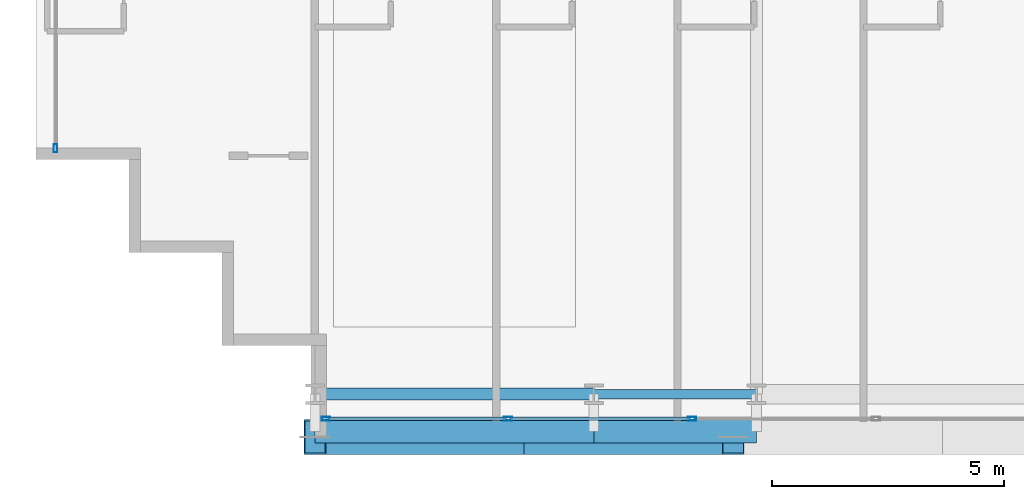
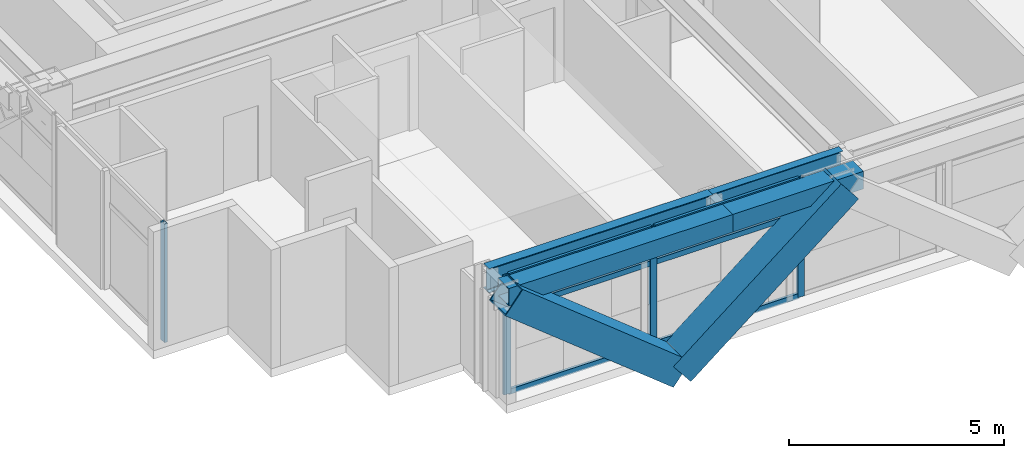
# One storey, part 2 of 36: 12 members, 4 beams, 2 elements without a shape of their own.
"""IFC4 building model written with IfcOpenShell, lengths in metres."""

from ifc_helpers import new_model, si_unit, direction, frame, origin, origin_2d, place, context, subcontext, project, spatial, hollow_rectangle, i_section, extrude, source, transform, mapped, material, layer, layer_set, material_profile, profile_set, type_object, element, aggregate, save


model = new_model("IFC4")

# Units and contexts
model_context = context("Model", 3, precision=1e-05, world=origin(), true_north=direction((0.0, 1.0)))
body_context = subcontext(model_context, "Body", "Model", "MODEL_VIEW")
ifc_project = project(units=[si_unit("LENGTHUNIT", "METRE"), si_unit("AREAUNIT", "SQUARE_METRE"), si_unit("VOLUMEUNIT", "CUBIC_METRE"), si_unit("PLANEANGLEUNIT", "RADIAN"), si_unit("MASSUNIT", "GRAM", prefix="KILO")], contexts=[model_context])

# Site, building, storey
site_placement = place(None, origin())
site = spatial("IfcSite", under=ifc_project, at=site_placement, CompositionType="ELEMENT")
building_placement = place(site_placement, origin())
building = spatial("IfcBuilding", under=site, at=building_placement, Name="Ocotamira Hotel", CompositionType="ELEMENT")
storey_placement = place(building_placement, frame((0.0, 0.0, 136.800048828125)))
storey = spatial("IfcBuildingStorey", under=building, at=storey_placement, Name="L34", CompositionType="ELEMENT", Elevation=136.800048828125)

# Beams
ifc_material_1 = material(Name="Steel ASTM A992 Grade 50", Category="steel")
ifc_material_profile_1 = material_profile(ifc_material_1, i_section(OverallWidth=0.256103515625, OverallDepth=0.693115234375, WebThickness=0.014404296875, FlangeThickness=0.023681640625, FilletRadius=0.01611328125, at=origin_2d()), Name="W27X114")
ifc_profile_set_1 = profile_set([ifc_material_profile_1], Name="Steel ASTM A992 Grade 50")
beam_type_1 = type_object("IfcBeamType", Name="BM-PRIM-W27X114", PredefinedType="BEAM", material=ifc_profile_set_1)
shared_shape_1 = source(origin(), body_context, "Body", "SweptSolid", [
    extrude(i_section(OverallWidth=0.256103515625, OverallDepth=0.693115234375, WebThickness=0.014404296875, FlangeThickness=0.023681640625, FilletRadius=0.01611328125, at=origin_2d()), origin(), (0.0, 0.0, 1.0), 6.0),
])
beam_1_placement = place(storey_placement, frame((14.0, 2.949951171875, 3.013427734375), z_axis=(1.0, 0.0, 0.0), x_axis=(0.0, 1.0, 0.0)))
element("IfcBeam", 1, at=beam_1_placement, inside=storey, type_object=beam_type_1, Name="L34 Girder Y2.95 X14-20", PredefinedType="BEAM", context=body_context, shape_type="MappedRepresentation", body=[
    mapped(shared_shape_1, transform((0.0, 0.0, 0.0), scale=1.0)),
])
ifc_material_profile_2 = material_profile(ifc_material_1, i_section(OverallWidth=0.2099609375, OverallDepth=0.537109375, WebThickness=0.010986328125, FlangeThickness=0.017333984375, FilletRadius=0.012939453125, at=origin_2d()), Name="W21X68")
ifc_profile_set_2 = profile_set([ifc_material_profile_2], Name="Steel ASTM A992 Grade 50")
beam_type_2 = type_object("IfcBeamType", Name="BM-SEC-W21X68", PredefinedType="JOIST", material=ifc_profile_set_2)
shared_shape_2 = source(origin(), body_context, "Body", "SweptSolid", [
    extrude(i_section(OverallWidth=0.2099609375, OverallDepth=0.537109375, WebThickness=0.010986328125, FlangeThickness=0.017333984375, FilletRadius=0.012939453125, at=origin_2d()), origin(), (0.0, 0.0, 1.0), 3.5),
])
beam_2_placement = place(storey_placement, frame((20.0, 2.949951171875, 3.091552734375), z_axis=(1.0, 0.0, 0.0), x_axis=(0.0, 1.0, 0.0)))
element("IfcBeam", 2, at=beam_2_placement, inside=storey, type_object=beam_type_2, Name="L34 Girder Y2.95 X20-23.5", PredefinedType="JOIST", context=body_context, shape_type="MappedRepresentation", body=[
    mapped(shared_shape_2, transform((0.0, 0.0, 0.0), scale=1.0)),
])
ifc_material_2 = material(Name="Steel ASTM A500 Grade C", Category="steel")
ifc_material_profile_3 = material_profile(ifc_material_2, hollow_rectangle(XDim=0.5, YDim=0.5, WallThickness=0.02001953125, at=origin_2d()), Name="HSS500X500X20")
ifc_profile_set_3 = profile_set([ifc_material_profile_3], Name="Steel ASTM A500 Grade C")
beam_type_3 = type_object("IfcBeamType", Name="BM-SPAN-HSS500", PredefinedType="USERDEFINED", material=ifc_profile_set_3)
shared_shape_3 = source(origin(), body_context, "Body", "SweptSolid", [
    extrude(hollow_rectangle(XDim=0.5, YDim=0.5, WallThickness=0.02001953125, at=origin_2d()), origin(), (0.0, 0.0, 1.0), 6.0),
])
beam_3_placement = place(storey_placement, frame((14.0, 2.14990234375, 3.10986328125), z_axis=(1.0, 0.0, 0.0), x_axis=(0.0, 1.0, 0.0)))
element("IfcBeam", 3, at=beam_3_placement, inside=storey, type_object=beam_type_3, Name="L34 Edge Spandrel S X14-20", ObjectType="SPANDREL", PredefinedType="USERDEFINED", context=body_context, shape_type="MappedRepresentation", body=[
    mapped(shared_shape_3, transform((0.0, 0.0, 0.0), scale=1.0)),
])
shared_shape_4 = source(origin(), body_context, "Body", "SweptSolid", [
    extrude(hollow_rectangle(XDim=0.5, YDim=0.5, WallThickness=0.02001953125, at=origin_2d()), origin(), (0.0, 0.0, 1.0), 3.5),
])
beam_4_placement = place(storey_placement, frame((20.0, 2.14990234375, 3.10986328125), z_axis=(1.0, 0.0, 0.0), x_axis=(0.0, 1.0, 0.0)))
element("IfcBeam", 4, at=beam_4_placement, inside=storey, type_object=beam_type_3, Name="L34 Edge Spandrel S X20-23.5", ObjectType="SPANDREL", PredefinedType="USERDEFINED", context=body_context, shape_type="MappedRepresentation", body=[
    mapped(shared_shape_4, transform((0.0, 0.0, 0.0), scale=1.0)),
])

# Members
ifc_material_3 = material(Name="Pale-metal coated steel ASTM A913 Grade 65", Category="steel")
ifc_material_profile_4 = material_profile(ifc_material_3, hollow_rectangle(XDim=0.75, YDim=0.75, WallThickness=0.028076171875, at=origin_2d()), Name="BOX750X750X28")
ifc_profile_set_4 = profile_set([ifc_material_profile_4], Name="Pale-metal coated steel ASTM A913 Grade 65")
member_type_1 = type_object("IfcMemberType", Name="MEM-EXO-BOX750", PredefinedType="BRACE", material=ifc_profile_set_4)
shared_shape_5 = source(origin(), body_context, "Body", "SweptSolid", [
    extrude(hollow_rectangle(XDim=0.75, YDim=0.75, WallThickness=0.028076171875, at=origin_2d()), origin(), (0.0, 0.0, 1.0), 5.7626953125),
])
for number, where, z_axis, x_axis, name in (
    (5, (18.5, 2.030029296875, -0.489990234375), (-0.780881208953, 0.0, 0.624679547852), (0.0, -1.0, 0.0), "L34 Exoskeleton Diagrid S0.1"),
    (6, (18.5, 2.030029296875, -0.489990234375), (0.780881208953, 0.0, 0.624679547852), (0.0, 1.0, 0.0), "L34 Exoskeleton Diagrid S0.2"),
):
    element("IfcMember", number, at=place(storey_placement, frame(where, z_axis=z_axis, x_axis=x_axis)), inside=storey, type_object=member_type_1, Name=name, PredefinedType="BRACE", context=body_context, shape_type="MappedRepresentation", body=[
        mapped(shared_shape_5, transform((0.0, 0.0, 0.0), scale=1.0)),
    ])

# Curtain wall, members
ifc_material_4 = material(Name="Anodised pale-metal aluminium and solar glass", Category="aluminium")
ifc_layer = layer(ifc_material_4, 0.179931640625)
ifc_layer_set = layer_set([ifc_layer], Name="Anodised pale-metal aluminium and solar glass")
curtain_wall_type = type_object("IfcCurtainWallType", Name="CW-SYS3-Z2", PredefinedType="NOTDEFINED", material=ifc_layer_set)
curtain_wall_1_placement = place(storey_placement, origin())
curtain_wall_1 = element("IfcCurtainWall", 7, at=curtain_wall_1_placement, inside=storey, type_object=curtain_wall_type, Name="L34 Curtain Wall CW-3 CW-L34-S1", PredefinedType="NOTDEFINED")
ifc_material_5 = material(Name="Anodised pale-metal aluminium 6063-T6", Category="aluminium")
ifc_material_profile_5 = material_profile(ifc_material_5, hollow_rectangle(XDim=0.074951171875, YDim=0.14990234375, WallThickness=0.006103515625, at=origin_2d()), Name="HSS150X75X6")
ifc_profile_set_5 = profile_set([ifc_material_profile_5], Name="Anodised pale-metal aluminium 6063-T6")
member_type_2 = type_object("IfcMemberType", Name="CWT-150X75", PredefinedType="USERDEFINED", material=ifc_profile_set_5)
shared_shape_6 = source(origin(), body_context, "Body", "SweptSolid", [
    extrude(hollow_rectangle(XDim=0.074951171875, YDim=0.14990234375, WallThickness=0.006103515625, at=origin_2d()), origin(), (0.0, 0.0, 1.0), 3.83544921875),
])
member_1_placement = place(storey_placement, frame((14.280029296875, 2.419921875, 0.037353515625), z_axis=(1.0, 0.0, 0.0), x_axis=(0.0, 1.0, 0.0)))
member_1 = element("IfcMember", 8, at=member_1_placement, type_object=member_type_2, Name="CW-3 transom 1.1", ObjectType="TRANSOM", PredefinedType="USERDEFINED", context=body_context, shape_type="MappedRepresentation", body=[
    mapped(shared_shape_6, transform((0.0, 0.0, 0.0), scale=1.0)),
])
member_2_placement = place(storey_placement, frame((14.280029296875, 2.419921875, 2.349853515625), z_axis=(1.0, 0.0, 0.0), x_axis=(0.0, 1.0, 0.0)))
member_2 = element("IfcMember", 9, at=member_2_placement, type_object=member_type_2, Name="CW-3 transom 1.2", ObjectType="TRANSOM", PredefinedType="USERDEFINED", context=body_context, shape_type="MappedRepresentation", body=[
    mapped(shared_shape_6, transform((0.0, 0.0, 0.0), scale=1.0)),
])
member_3_placement = place(storey_placement, frame((14.280029296875, 2.419921875, 3.322509765625), z_axis=(1.0, 0.0, 0.0), x_axis=(0.0, 1.0, 0.0)))
member_3 = element("IfcMember", 10, at=member_3_placement, type_object=member_type_2, Name="CW-3 transom 1.3", ObjectType="TRANSOM", PredefinedType="USERDEFINED", context=body_context, shape_type="MappedRepresentation", body=[
    mapped(shared_shape_6, transform((0.0, 0.0, 0.0), scale=1.0)),
])
shared_shape_7 = source(origin(), body_context, "Body", "SweptSolid", [
    extrude(hollow_rectangle(XDim=0.074951171875, YDim=0.14990234375, WallThickness=0.006103515625, at=origin_2d()), origin(), (0.0, 0.0, 1.0), 3.87548828125),
])
member_4_placement = place(storey_placement, frame((18.195556640625, 2.419921875, 0.037353515625), z_axis=(1.0, 0.0, 0.0), x_axis=(0.0, 1.0, 0.0)))
member_4 = element("IfcMember", 11, at=member_4_placement, type_object=member_type_2, Name="CW-3 transom 2.1", ObjectType="TRANSOM", PredefinedType="USERDEFINED", context=body_context, shape_type="MappedRepresentation", body=[
    mapped(shared_shape_7, transform((0.0, 0.0, 0.0), scale=1.0)),
])
member_5_placement = place(storey_placement, frame((18.195556640625, 2.419921875, 2.349853515625), z_axis=(1.0, 0.0, 0.0), x_axis=(0.0, 1.0, 0.0)))
member_5 = element("IfcMember", 12, at=member_5_placement, type_object=member_type_2, Name="CW-3 transom 2.2", ObjectType="TRANSOM", PredefinedType="USERDEFINED", context=body_context, shape_type="MappedRepresentation", body=[
    mapped(shared_shape_7, transform((0.0, 0.0, 0.0), scale=1.0)),
])
member_6_placement = place(storey_placement, frame((18.195556640625, 2.419921875, 3.322509765625), z_axis=(1.0, 0.0, 0.0), x_axis=(0.0, 1.0, 0.0)))
member_6 = element("IfcMember", 13, at=member_6_placement, type_object=member_type_2, Name="CW-3 transom 2.3", ObjectType="TRANSOM", PredefinedType="USERDEFINED", context=body_context, shape_type="MappedRepresentation", body=[
    mapped(shared_shape_7, transform((0.0, 0.0, 0.0), scale=1.0)),
])
ifc_material_profile_6 = material_profile(ifc_material_5, hollow_rectangle(XDim=0.080078125, YDim=0.179931640625, WallThickness=0.006103515625, at=origin_2d()), Name="HSS180X80X6")
ifc_profile_set_6 = profile_set([ifc_material_profile_6], Name="Anodised pale-metal aluminium 6063-T6")
member_type_3 = type_object("IfcMemberType", Name="CWM-180X75", PredefinedType="MULLION", material=ifc_profile_set_6)
shared_shape_8 = source(origin(), body_context, "Body", "SweptSolid", [
    extrude(hollow_rectangle(XDim=0.080078125, YDim=0.179931640625, WallThickness=0.006103515625, at=origin_2d()), origin(), (0.0, 0.0, 1.0), 3.35986328125),
])
member_7_placement = place(storey_placement, frame((14.239990234375, 2.419921875, 0.0), z_axis=(0.0, 0.0, 1.0), x_axis=(0.0, 1.0, 0.0)))
member_7 = element("IfcMember", 14, at=member_7_placement, type_object=member_type_3, Name="CW-3 mullion 1", PredefinedType="MULLION", context=body_context, shape_type="MappedRepresentation", body=[
    mapped(shared_shape_8, transform((0.0, 0.0, 0.0), scale=1.0)),
])
member_8_placement = place(storey_placement, frame((18.155517578125, 2.419921875, 0.0), z_axis=(0.0, 0.0, 1.0), x_axis=(0.0, 1.0, 0.0)))
member_8 = element("IfcMember", 15, at=member_8_placement, type_object=member_type_3, Name="CW-3 mullion 2", PredefinedType="MULLION", context=body_context, shape_type="MappedRepresentation", body=[
    mapped(shared_shape_8, transform((0.0, 0.0, 0.0), scale=1.0)),
])
member_9_placement = place(storey_placement, frame((22.111083984375, 2.419921875, 0.0), z_axis=(0.0, 0.0, 1.0), x_axis=(0.0, 1.0, 0.0)))
member_9 = element("IfcMember", 16, at=member_9_placement, type_object=member_type_3, Name="CW-3 mullion 3", PredefinedType="MULLION", context=body_context, shape_type="MappedRepresentation", body=[
    mapped(shared_shape_8, transform((0.0, 0.0, 0.0), scale=1.0)),
])
aggregate(curtain_wall_1, [member_7, member_8, member_9, member_1, member_2, member_3, member_4, member_5, member_6])

# Curtain wall, member
curtain_wall_2_placement = place(storey_placement, origin())
curtain_wall_2 = element("IfcCurtainWall", 17, at=curtain_wall_2_placement, inside=storey, type_object=curtain_wall_type, Name="L34 Curtain Wall CW-3 CW-L34-W", PredefinedType="NOTDEFINED")
member_10_placement = place(storey_placement, frame((8.419921875, 8.239990234375, 0.0), z_axis=(0.0, 0.0, 1.0), x_axis=(-1.0, 0.0, 0.0)))
member_10 = element("IfcMember", 18, at=member_10_placement, type_object=member_type_3, Name="CW-3 mullion 1", PredefinedType="MULLION", context=body_context, shape_type="MappedRepresentation", body=[
    mapped(shared_shape_8, transform((0.0, 0.0, 0.0), scale=1.0)),
])
aggregate(curtain_wall_2, [member_10])

save(model, "model.ifc")
